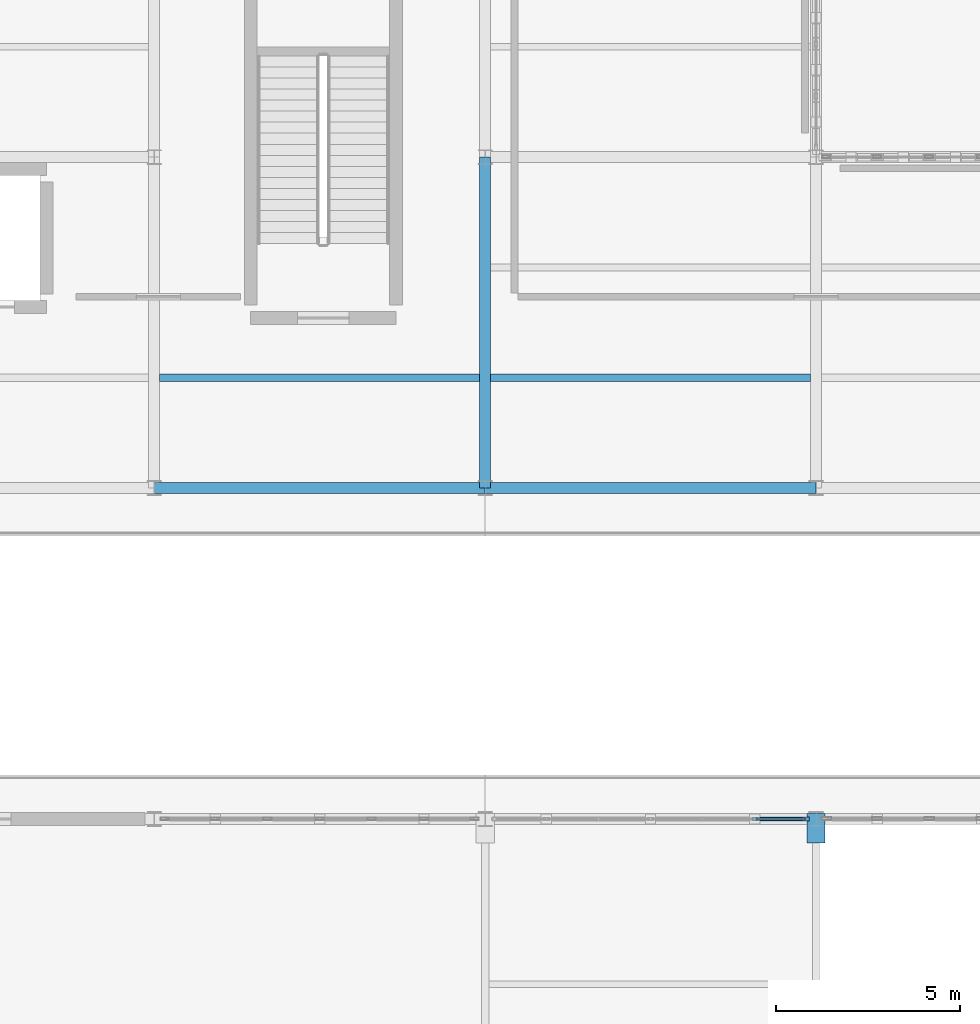
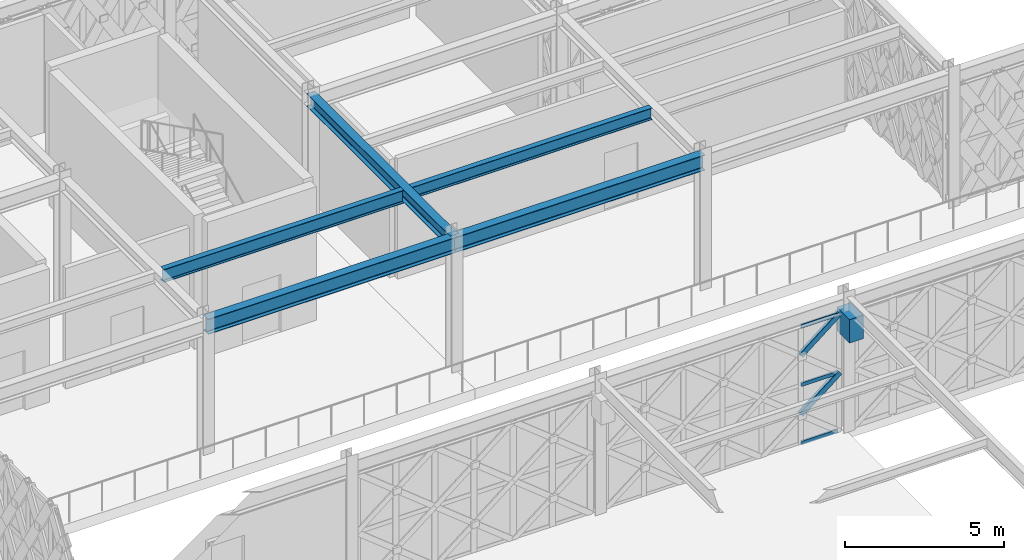
# One storey, part 90 of 140: 6 beams, 5 members, 1 element without a shape of its own.
"""IFC4 building model written with IfcOpenShell, lengths in metres."""

from ifc_helpers import new_model, si_unit, direction, frame, origin, origin_2d, place, context, subcontext, project, spatial, rectangle, hollow_rectangle, i_section, extrude, material, material_profile, profile_set, type_object, element, aggregate, save


model = new_model("IFC4")

# Units and contexts
model_context = context("Model", 3, precision=1e-05, world=origin(), true_north=direction((0.0, 1.0)))
body_context = subcontext(model_context, "Body", "Model", "MODEL_VIEW")
ifc_project = project(units=[si_unit("LENGTHUNIT", "METRE"), si_unit("AREAUNIT", "SQUARE_METRE"), si_unit("VOLUMEUNIT", "CUBIC_METRE"), si_unit("PLANEANGLEUNIT", "RADIAN"), si_unit("MASSUNIT", "GRAM", prefix="KILO")], contexts=[model_context])

# Site, building, storey
site_placement = place(None, origin())
site = spatial("IfcSite", under=ifc_project, at=site_placement, CompositionType="ELEMENT")
building_placement = place(site_placement, origin())
building = spatial("IfcBuilding", under=site, at=building_placement, Name="Haizhuo Lancet Aquarium", CompositionType="ELEMENT")
storey_placement = place(building_placement, origin())
storey = spatial("IfcBuildingStorey", under=building, at=storey_placement, Name="L00", CompositionType="ELEMENT", Elevation=0.0)

# Beams
ifc_material_1 = material(Name="Concrete C40/50", Category="concrete")
ifc_material_profile_1 = material_profile(ifc_material_1, rectangle(XDim=0.5, YDim=0.89990234375, at=origin_2d()), Name="RC-BM 500x900")
ifc_profile_set_1 = profile_set([ifc_material_profile_1], Name="Concrete C40/50")
beam_type_1 = type_object("IfcBeamType", Name="BM-RC-500x900", PredefinedType="BEAM", material=ifc_profile_set_1)
beam_1_placement = place(storey_placement, frame((63.0, 9.14990234375, 4.205078125), z_axis=(0.0, -1.0, 0.0), x_axis=(1.0, 0.0, 0.0)))
element("IfcBeam", 1, at=beam_1_placement, inside=storey, type_object=beam_type_1, Name="Reinforced concrete bridge bearing corbel SB-02 2N", PredefinedType="BEAM", context=body_context, shape_type="SweptSolid", body=[
    extrude(rectangle(XDim=0.5, YDim=0.89990234375, at=origin_2d()), origin(), (0.0, 0.0, 1.0), 0.7998046875),
])
ifc_material_2 = material(Name="Steel S355", Category="steel")
ifc_material_profile_2 = material_profile(ifc_material_2, i_section(OverallWidth=0.300048828125, OverallDepth=0.488037109375, WebThickness=0.010986328125, FlangeThickness=0.01806640625, FilletRadius=0.02392578125, at=origin_2d()), Name="HM 488x300x11x18")
ifc_profile_set_2 = profile_set([ifc_material_profile_2], Name="Steel S355")
beam_type_2 = type_object("IfcBeamType", Name="BM-ST-HM488", PredefinedType="BEAM", material=ifc_profile_set_2)
beam_2_placement = place(storey_placement, frame((54.0, 18.0, 4.8759765625), z_axis=(0.0, 1.0, 0.0), x_axis=(-1.0, 0.0, 0.0)))
element("IfcBeam", 2, at=beam_2_placement, inside=storey, type_object=beam_type_2, Name="L00 V7 primary girder BM-L00-V7-013", PredefinedType="BEAM", context=body_context, shape_type="SweptSolid", body=[
    extrude(i_section(OverallWidth=0.300048828125, OverallDepth=0.488037109375, WebThickness=0.010986328125, FlangeThickness=0.01806640625, FilletRadius=0.02392578125, at=origin_2d()), origin(), (0.0, 0.0, 1.0), 9.0),
])
ifc_material_profile_3 = material_profile(ifc_material_2, i_section(OverallWidth=0.300048828125, OverallDepth=0.587890625, WebThickness=0.011962890625, FlangeThickness=0.02001953125, FilletRadius=0.02587890625, at=origin_2d()), Name="HM 588x300x12x20")
ifc_profile_set_3 = profile_set([ifc_material_profile_3], Name="Steel S355")
beam_type_3 = type_object("IfcBeamType", Name="BM-ST-HM588", PredefinedType="BEAM", material=ifc_profile_set_3)
for number, where, z_axis, x_axis, name in (
    (3, (45.0, 18.0, 4.825927734375), (1.0, 0.0, 0.0), (0.0, 1.0, 0.0), "L00 V7 primary girder BM-L00-V7-009"),
    (4, (54.0, 18.0, 4.825927734375), (1.0, 0.0, 0.0), (0.0, 1.0, 0.0), "L00 V7 primary girder BM-L00-V7-014"),
):
    element("IfcBeam", number, at=place(storey_placement, frame(where, z_axis=z_axis, x_axis=x_axis)), inside=storey, type_object=beam_type_3, Name=name, PredefinedType="BEAM", context=body_context, shape_type="SweptSolid", body=[
        extrude(i_section(OverallWidth=0.300048828125, OverallDepth=0.587890625, WebThickness=0.011962890625, FlangeThickness=0.02001953125, FilletRadius=0.02587890625, at=origin_2d()), origin(), (0.0, 0.0, 1.0), 9.0),
    ])

# Curtain wall, members
ifc_material_3 = material(Name="Aluminium 6063-T6", Category="aluminium")
curtain_wall_type = type_object("IfcCurtainWallType", Name="CWO-8510x4530", PredefinedType="NOTDEFINED", material=ifc_material_3)
curtain_wall_placement = place(storey_placement, origin())
curtain_wall = element("IfcCurtainWall", 5, at=curtain_wall_placement, inside=storey, type_object=curtain_wall_type, Name="L00 curtain wall CW-V7-L00-280", PredefinedType="NOTDEFINED")
ifc_material_profile_4 = material_profile(ifc_material_3, hollow_rectangle(XDim=0.06494140625, YDim=0.139892578125, WallThickness=0.00390625, at=origin_2d()), Name="ALU-T 65x140x4")
ifc_profile_set_4 = profile_set([ifc_material_profile_4], Name="Aluminium 6063-T6")
member_type_1 = type_object("IfcMemberType", Name="CW-TRN-1", PredefinedType="NOTDEFINED", material=ifc_profile_set_4)
member_1_placement = place(storey_placement, frame((62.68994140625, 9.0, 0.032958984375), z_axis=(-1.0, 0.0, 0.0), x_axis=(0.0, -1.0, 0.0)))
member_1 = element("IfcMember", 6, at=member_1_placement, type_object=member_type_1, Name="CWO-85x45 transom 1.1", ObjectType="TRANSOM", PredefinedType="USERDEFINED", context=body_context, shape_type="SweptSolid", body=[
    extrude(hollow_rectangle(XDim=0.06494140625, YDim=0.139892578125, WallThickness=0.00390625, at=origin_2d()), origin(), (0.0, 0.0, 1.0), 1.321044921875),
])
member_2_placement = place(storey_placement, frame((62.68994140625, 9.0, 2.26611328125), z_axis=(-1.0, 0.0, 0.0), x_axis=(0.0, -1.0, 0.0)))
member_2 = element("IfcMember", 7, at=member_2_placement, type_object=member_type_1, Name="CWO-85x45 transom 1.2", ObjectType="TRANSOM", PredefinedType="USERDEFINED", context=body_context, shape_type="SweptSolid", body=[
    extrude(hollow_rectangle(XDim=0.06494140625, YDim=0.139892578125, WallThickness=0.00390625, at=origin_2d()), origin(), (0.0, 0.0, 1.0), 1.321044921875),
])
member_3_placement = place(storey_placement, frame((62.68994140625, 9.0, 4.5), z_axis=(-1.0, 0.0, 0.0), x_axis=(0.0, -1.0, 0.0)))
member_3 = element("IfcMember", 8, at=member_3_placement, type_object=member_type_1, Name="CWO-85x45 transom 1.3", ObjectType="TRANSOM", PredefinedType="USERDEFINED", context=body_context, shape_type="SweptSolid", body=[
    extrude(hollow_rectangle(XDim=0.06494140625, YDim=0.139892578125, WallThickness=0.00390625, at=origin_2d()), origin(), (0.0, 0.0, 1.0), 1.321044921875),
])
aggregate(curtain_wall, [member_1, member_2, member_3])

# Beams
ifc_material_profile_5 = material_profile(ifc_material_2, i_section(OverallWidth=0.199951171875, OverallDepth=0.449951171875, WebThickness=0.009033203125, FlangeThickness=0.013916015625, FilletRadius=0.01806640625, at=origin_2d()), Name="HN 450x200x9x14")
ifc_profile_set_5 = profile_set([ifc_material_profile_5], Name="Steel S355")
beam_type_4 = type_object("IfcBeamType", Name="JST-ST-HN450", PredefinedType="JOIST", material=ifc_profile_set_5)
beam_3_placement = place(storey_placement, frame((54.14990234375, 21.0, 4.89501953125), z_axis=(1.0, 0.0, 0.0), x_axis=(0.0, 1.0, 0.0)))
element("IfcBeam", 9, at=beam_3_placement, inside=storey, type_object=beam_type_4, Name="L00 V7 secondary floor joist 5", PredefinedType="JOIST", context=body_context, shape_type="SweptSolid", body=[
    extrude(i_section(OverallWidth=0.199951171875, OverallDepth=0.449951171875, WebThickness=0.009033203125, FlangeThickness=0.013916015625, FilletRadius=0.01806640625, at=origin_2d()), origin(), (0.0, 0.0, 1.0), 8.7001953125),
])
ifc_material_profile_6 = material_profile(ifc_material_2, i_section(OverallWidth=0.199951171875, OverallDepth=0.5, WebThickness=0.010009765625, FlangeThickness=0.01611328125, FilletRadius=0.02001953125, at=origin_2d()), Name="HN 500x200x10x16")
ifc_profile_set_6 = profile_set([ifc_material_profile_6], Name="Steel S355")
beam_type_5 = type_object("IfcBeamType", Name="JST-ST-HN500", PredefinedType="JOIST", material=ifc_profile_set_6)
beam_4_placement = place(storey_placement, frame((45.14990234375, 21.0, 4.8701171875), z_axis=(1.0, 0.0, 0.0), x_axis=(0.0, 1.0, 0.0)))
element("IfcBeam", 10, at=beam_4_placement, inside=storey, type_object=beam_type_5, Name="L00 V7 secondary floor joist 4", PredefinedType="JOIST", context=body_context, shape_type="SweptSolid", body=[
    extrude(i_section(OverallWidth=0.199951171875, OverallDepth=0.5, WebThickness=0.010009765625, FlangeThickness=0.01611328125, FilletRadius=0.02001953125, at=origin_2d()), origin(), (0.0, 0.0, 1.0), 8.7001953125),
])

# Members
ifc_material_profile_7 = material_profile(ifc_material_2, hollow_rectangle(XDim=0.1201171875, YDim=0.199951171875, WallThickness=0.008056640625, at=origin_2d()), Name="RHS 120x200x8")
ifc_profile_set_7 = profile_set([ifc_material_profile_7], Name="Steel S355")
member_type_2 = type_object("IfcMemberType", Name="MEM-LB-RHS120x200", PredefinedType="BRACE", material=ifc_profile_set_7)
for number, where, z_axis, x_axis, name in (
    (11, (61.3369140625, 9.0, 1.133056640625), (0.781222997842, 0.0, 0.624252054577), (0.0, 1.0, 0.0), "Gothic lancet split diagonal brace CW-V7-L00-280 1B2"),
    (12, (61.3369140625, 9.0, 3.39892578125), (0.781222997842, 0.0, 0.624252054577), (0.0, 1.0, 0.0), "Gothic lancet split diagonal brace CW-V7-L00-280 2B2"),
):
    element("IfcMember", number, at=place(storey_placement, frame(where, z_axis=z_axis, x_axis=x_axis)), inside=storey, type_object=member_type_2, Name=name, PredefinedType="BRACE", context=body_context, shape_type="SweptSolid", body=[
        extrude(hollow_rectangle(XDim=0.1201171875, YDim=0.199951171875, WallThickness=0.008056640625, at=origin_2d()), origin(), (0.0, 0.0, 1.0), 1.81494140625),
    ])

save(model, "model.ifc")
